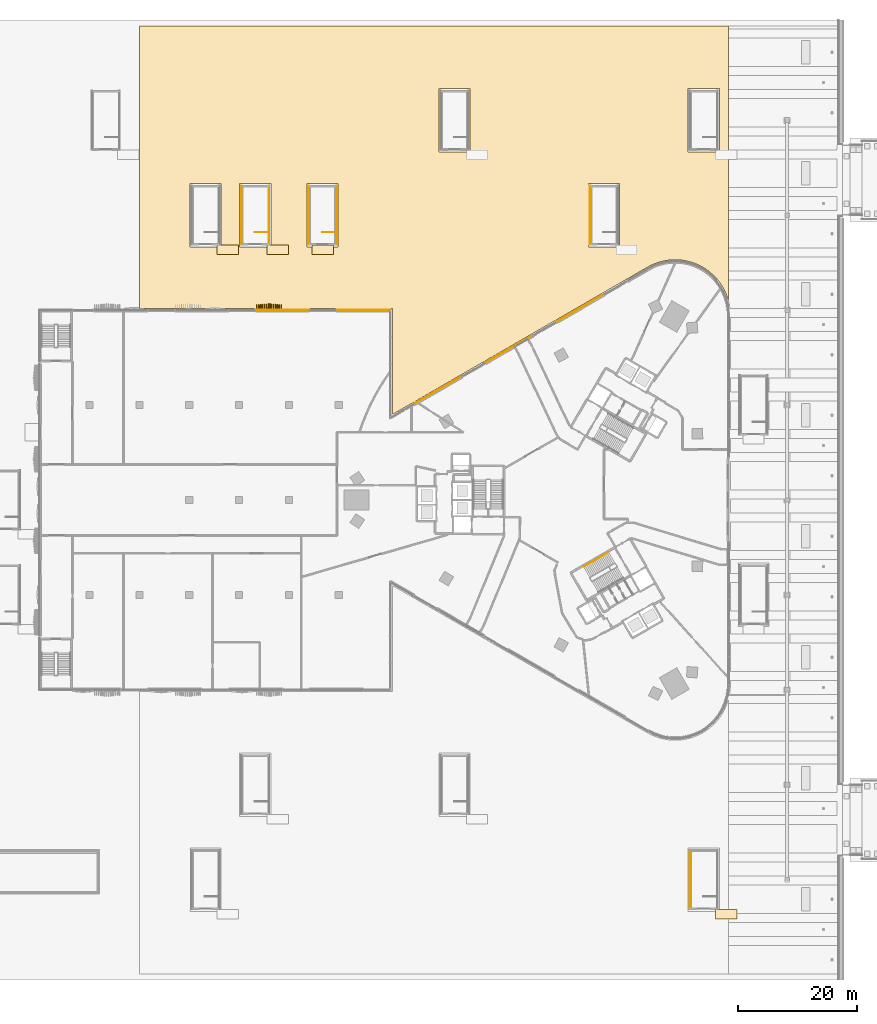
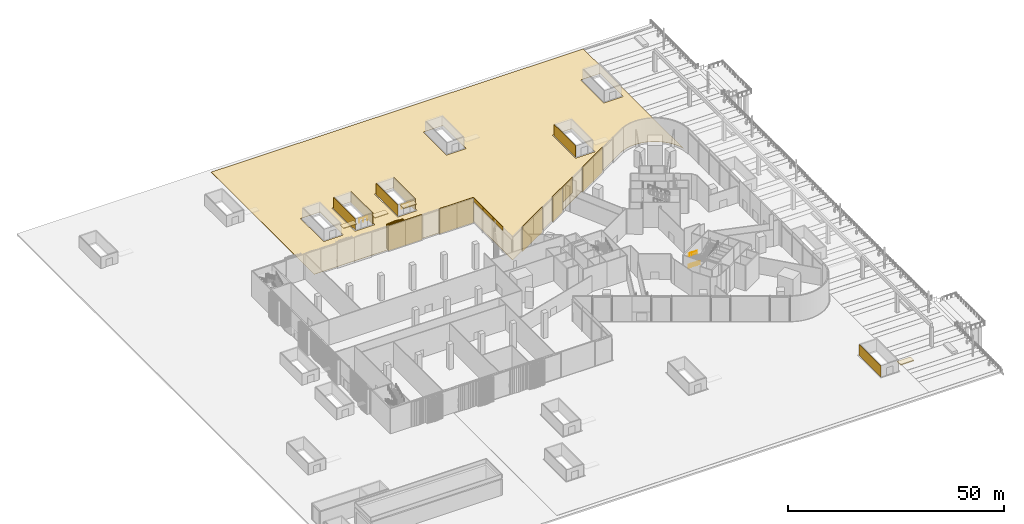
# One storey, part 35 of 41: 21 coverings, 4 railings.
"""IFC4 building model written with IfcOpenShell, lengths in metres."""

from ifc_helpers import new_model, si_unit, direction, frame, frame_2d, origin, origin_2d, place, context, subcontext, project, spatial, polyline, rectangle, circle, outline, extrude, source, transform, mapped, material, layer, layer_set, type_object, element, save


model = new_model("IFC4")

# Units and contexts
model_context = context("Model", 3, precision=1e-05, world=origin(), true_north=direction((0.0, 1.0)))
body_context = subcontext(model_context, "Body", "Model", "MODEL_VIEW")
ifc_project = project(units=[si_unit("LENGTHUNIT", "METRE"), si_unit("AREAUNIT", "SQUARE_METRE"), si_unit("VOLUMEUNIT", "CUBIC_METRE"), si_unit("PLANEANGLEUNIT", "RADIAN"), si_unit("MASSUNIT", "GRAM", prefix="KILO")], contexts=[model_context])

# Site, building, storey
site_placement = place(None, origin())
site = spatial("IfcSite", under=ifc_project, at=site_placement, CompositionType="ELEMENT")
building_placement = place(site_placement, origin())
building = spatial("IfcBuilding", under=site, at=building_placement, Name="Tamra Quay Hotel Tower", CompositionType="ELEMENT")
storey_placement = place(building_placement, origin())
storey = spatial("IfcBuildingStorey", under=building, at=storey_placement, Name="L00", CompositionType="ELEMENT", Elevation=0.0)

# Railings
ifc_material_1 = material(Name="Basement stair guard 1100")
railing_type_1 = type_object("IfcRailingType", Name="Basement stair guard 1100", PredefinedType="GUARDRAIL", material=ifc_material_1)
railing_1_placement = place(storey_placement, frame((-50.699951171875, 45.14990234375, 0.0)))
element("IfcRailing", 1, at=railing_1_placement, inside=storey, type_object=railing_type_1, Name="BSG", PredefinedType="GUARDRAIL", context=body_context, shape_type="SweptSolid", body=[
    extrude(circle(Radius=0.02392578125, at=origin_2d()), frame((0.0, 0.0, 1.076171875), z_axis=(-1.0, 0.0, 0.0), x_axis=(0.0, -1.0, 0.0)), (0.0, 0.0, 1.0), 2.150146484375),
    extrude(circle(Radius=0.02099609375, at=origin_2d()), origin(), (0.0, 0.0, 1.0), 1.052001953125),
    extrude(circle(Radius=0.02099609375, at=origin_2d()), frame((-1.0751953125, 0.0, 0.0)), (0.0, 0.0, 1.0), 1.052001953125),
    extrude(circle(Radius=0.02099609375, at=origin_2d()), frame((-2.150146484375, 0.0, 0.0)), (0.0, 0.0, 1.0), 1.052001953125),
])
railing_2_placement = place(storey_placement, frame((-39.35009765625, 45.14990234375, 0.0)))
element("IfcRailing", 2, at=railing_2_placement, inside=storey, type_object=railing_type_1, Name="BSG", PredefinedType="GUARDRAIL", context=body_context, shape_type="SweptSolid", body=[
    extrude(circle(Radius=0.02392578125, at=origin_2d()), frame((0.0, 0.0, 1.076171875), z_axis=(-1.0, 0.0, 0.0), x_axis=(0.0, -1.0, 0.0)), (0.0, 0.0, 1.0), 2.14990234375),
    extrude(circle(Radius=0.02099609375, at=origin_2d()), origin(), (0.0, 0.0, 1.0), 1.052001953125),
    extrude(circle(Radius=0.02099609375, at=origin_2d()), frame((-1.074951171875, 0.0, 0.0)), (0.0, 0.0, 1.0), 1.052001953125),
    extrude(circle(Radius=0.02099609375, at=origin_2d()), frame((-2.14990234375, 0.0, 0.0)), (0.0, 0.0, 1.0), 1.052001953125),
])

# Coverings
ifc_material_2 = material(Name="Reinforced concrete M60 with waterproofing membrane", Category="concrete")
ifc_layer_1 = layer(ifc_material_2, 0.25)
ifc_layer_set_1 = layer_set([ifc_layer_1], Name="PAVILION CANOPY SHEET 250")
covering_type_1 = type_object("IfcCoveringType", Name="PAVILION CANOPY SHEET 250", PredefinedType="ROOFING", material=ifc_layer_set_1)
covering_1_placement = place(storey_placement, frame((0.0, 0.0, 2.75)))
element("IfcCovering", 3, at=covering_1_placement, inside=storey, type_object=covering_type_1, Name="Stair pavilion BS7 door canopy", PredefinedType="ROOFING", context=body_context, shape_type="SweptSolid", body=[
    extrude(outline(polyline([(-59.199951171875, 43.0), (-55.60009765625, 43.0), (-55.60009765625, 41.39990234375), (-59.199951171875, 41.39990234375), (-59.199951171875, 43.0)])), origin(), (0.0, 0.0, 1.0), 0.25),
])
covering_2_placement = place(storey_placement, frame((0.0, 0.0, 2.75)))
element("IfcCovering", 4, at=covering_2_placement, inside=storey, type_object=covering_type_1, Name="Stair pavilion BS9 door canopy", PredefinedType="ROOFING", context=body_context, shape_type="SweptSolid", body=[
    extrude(outline(polyline([(-50.800048828125, 43.0), (-47.199951171875, 43.0), (-47.199951171875, 41.39990234375), (-50.800048828125, 41.39990234375), (-50.800048828125, 43.0)])), origin(), (0.0, 0.0, 1.0), 0.25),
])
covering_3_placement = place(storey_placement, frame((0.0, 0.0, 2.75)))
element("IfcCovering", 5, at=covering_3_placement, inside=storey, type_object=covering_type_1, Name="Stair pavilion BS13 door canopy", PredefinedType="ROOFING", context=body_context, shape_type="SweptSolid", body=[
    extrude(outline(polyline([(24.800048828125, -69.0), (28.39990234375, -69.0), (28.39990234375, -70.60009765625), (24.800048828125, -70.60009765625), (24.800048828125, -69.0)])), origin(), (0.0, 0.0, 1.0), 0.25),
])
covering_4_placement = place(storey_placement, frame((0.0, 0.0, 2.75)))
element("IfcCovering", 6, at=covering_4_placement, inside=storey, type_object=covering_type_1, Name="Stair pavilion BS17 door canopy", PredefinedType="ROOFING", context=body_context, shape_type="SweptSolid", body=[
    extrude(outline(polyline([(-43.22509765625, 43.0), (-39.625, 43.0), (-39.625, 41.39990234375), (-43.22509765625, 41.39990234375), (-43.22509765625, 43.0)])), origin(), (0.0, 0.0, 1.0), 0.25),
])
ifc_material_3 = material(Name="Precast concrete M60 terracotta-coloured pierced relief", Category="masonry")
ifc_layer_2 = layer(ifc_material_3, 0.10009765625)
ifc_layer_set_2 = layer_set([ifc_layer_2], Name="PIERCED RELIEF PANEL 100")
covering_type_2 = type_object("IfcCoveringType", Name="PIERCED RELIEF PANEL 100", PredefinedType="CLADDING", material=ifc_layer_set_2)
covering_5_placement = place(storey_placement, frame((1.989013671875, 32.366943359375, 0.0), z_axis=(0.0, 0.0, 1.0), x_axis=(-0.866214936261, -0.499671576337, 0.0)))
element("IfcCovering", 7, at=covering_5_placement, inside=storey, type_object=covering_type_2, Name="Relief panel L00.NW.02", PredefinedType="CLADDING", context=body_context, shape_type="SweptSolid", body=[
    extrude(rectangle(XDim=9.2197265625, YDim=0.10009765625, at=origin_2d()), origin(), (0.0, 0.0, 1.0), 7.10009765625),
])
covering_6_placement = place(storey_placement, frame((-8.015380859375, 26.595947265625, 2.699951171875), z_axis=(0.0, 0.0, 1.0), x_axis=(-0.866214936261, -0.499671576337, 0.0)))
element("IfcCovering", 8, at=covering_6_placement, inside=storey, type_object=covering_type_2, Name="Relief panel L00.NW.05", PredefinedType="CLADDING", context=body_context, shape_type="SweptSolid", body=[
    extrude(rectangle(XDim=4.599853515625, YDim=0.10009765625, at=origin_2d()), origin(), (0.0, 0.0, 1.0), 4.39990234375),
])
covering_7_placement = place(storey_placement, frame((-12.01708984375, 24.28759765625, 0.0), z_axis=(0.0, 0.0, 1.0), x_axis=(-0.866214936261, -0.499671576337, 0.0)))
element("IfcCovering", 9, at=covering_7_placement, inside=storey, type_object=covering_type_2, Name="Relief panel L00.NW.06", PredefinedType="CLADDING", context=body_context, shape_type="SweptSolid", body=[
    extrude(rectangle(XDim=4.599853515625, YDim=0.10009765625, at=origin_2d()), origin(), (0.0, 0.0, 1.0), 7.10009765625),
])
covering_8_placement = place(storey_placement, frame((-22.021484375, 18.5166015625, 0.0), z_axis=(0.0, 0.0, 1.0), x_axis=(-0.866214936261, -0.499671576337, 0.0)))
element("IfcCovering", 10, at=covering_8_placement, inside=storey, type_object=covering_type_2, Name="Relief panel L00.NW.08", PredefinedType="CLADDING", context=body_context, shape_type="SweptSolid", body=[
    extrude(rectangle(XDim=9.2197265625, YDim=0.10009765625, at=origin_2d()), origin(), (0.0, 0.0, 1.0), 7.10009765625),
])
for number, where, z_axis, x_axis, name in (
    (11, (-29.949951171875, 20.66015625, 6.10009765625), (0.0, 0.0, 1.0), (0.0, 1.0, 0.0), "Relief panel L00.E.18"),
    (12, (-29.949951171875, 25.196044921875, 6.10009765625), (0.0, 0.0, 1.0), (0.0, 1.0, 0.0), "Relief panel L00.E.19"),
    (13, (-29.949951171875, 29.73193359375, 6.10009765625), (0.0, 0.0, 1.0), (0.0, 1.0, 0.0), "Relief panel L00.E.20"),
):
    element("IfcCovering", number, at=place(storey_placement, frame(where, z_axis=z_axis, x_axis=x_axis)), inside=storey, type_object=covering_type_2, Name=name, PredefinedType="CLADDING", context=body_context, shape_type="SweptSolid", body=[
        extrude(rectangle(XDim=4.515869140625, YDim=0.10009765625, at=origin_2d()), origin(), (0.0, 0.0, 1.0), 1.0),
    ])
for number, where, z_axis, x_axis, name in (
    (14, (-34.546142578125, 32.050048828125, 0.0), (0.0, 0.0, 1.0), (-1.0, 0.0, 0.0), "Relief panel L00.NW.11"),
    (15, (-48.1845703125, 32.050048828125, 0.0), (0.0, 0.0, 1.0), (-1.0, 0.0, 0.0), "Relief panel L00.NW.14"),
):
    element("IfcCovering", number, at=place(storey_placement, frame(where, z_axis=z_axis, x_axis=x_axis)), inside=storey, type_object=covering_type_2, Name=name, PredefinedType="CLADDING", context=body_context, shape_type="SweptSolid", body=[
        extrude(rectangle(XDim=9.072265625, YDim=0.10009765625, at=origin_2d()), origin(), (0.0, 0.0, 1.0), 7.10009765625),
    ])
for number, where, z_axis, x_axis, name in (
    (16, (-55.10009765625, 48.0, 0.0), (0.0, 0.0, 1.0), (0.0, -1.0, 0.0), "Relief panel BS9.W"),
    (17, (-50.449951171875, 48.0, 0.0), (0.0, 0.0, 1.0), (0.0, 1.0, 0.0), "Relief panel BS9.E"),
    (18, (3.699951171875, 48.0, 0.0), (0.0, 0.0, 1.0), (0.0, -1.0, 0.0), "Relief panel BS12.W"),
    (19, (20.5, -64.0, 0.0), (0.0, 0.0, 1.0), (0.0, -1.0, 0.0), "Relief panel BS13.W"),
    (20, (-43.75, 48.0, 0.0), (0.0, 0.0, 1.0), (0.0, -1.0, 0.0), "Relief panel BS17.W"),
    (21, (-39.10009765625, 48.0, 0.0), (0.0, 0.0, 1.0), (0.0, 1.0, 0.0), "Relief panel BS17.E"),
):
    element("IfcCovering", number, at=place(storey_placement, frame(where, z_axis=z_axis, x_axis=x_axis)), inside=storey, type_object=covering_type_2, Name=name, PredefinedType="CLADDING", context=body_context, shape_type="SweptSolid", body=[
        extrude(rectangle(XDim=9.97998046875, YDim=0.10009765625, at=origin_2d()), origin(), (0.0, 0.0, 1.0), 3.199951171875),
    ])
ifc_material_4 = material(Name="Limestone flagstone paving light grey", Category="masonry")
ifc_layer_3 = layer(ifc_material_4, 0.06005859375)
ifc_layer_set_3 = layer_set([ifc_layer_3], Name="PROMENADE PAVING 60")
covering_type_3 = type_object("IfcCoveringType", Name="PROMENADE PAVING 60", PredefinedType="USERDEFINED", material=ifc_layer_set_3)
covering_9_placement = place(storey_placement, origin())
element("IfcCovering", 22, at=covering_9_placement, inside=storey, type_object=covering_type_3, Name="Tamra Quay Promenade paving promenade.1", ObjectType="PAVING", PredefinedType="USERDEFINED", context=body_context, shape_type="SweptSolid", body=[
    extrude(outline(polyline([(26.82568359375, 34.1728515625), (27.0, 33.59765625), (27.0, 79.89990234375), (-72.300048828125, 79.89990234375), (-72.300048828125, 32.320068359375), (-29.679931640625, 32.320068359375), (-29.679931640625, 14.41064453125), (13.344482421875, 39.2509765625), (13.877685546875, 39.535888671875), (14.433349609375, 39.78759765625), (15.004150390625, 40.00244140625), (15.587890625, 40.179443359375), (16.181640625, 40.318115234375), (16.783447265625, 40.41748046875), (17.390380859375, 40.47705078125), (18.0, 40.4970703125), (18.609619140625, 40.47705078125), (19.216552734375, 40.41748046875), (19.818359375, 40.318115234375), (20.412109375, 40.179443359375), (20.995849609375, 40.00244140625), (21.566650390625, 39.78759765625), (22.122314453125, 39.535888671875), (22.66015625, 39.248291015625), (23.177978515625, 38.926513671875), (23.673828125, 38.571044921875), (24.145263671875, 38.18408203125), (24.59033203125, 37.767333984375), (25.00732421875, 37.322021484375), (25.394287109375, 36.8505859375), (25.74951171875, 36.35498046875), (26.071533203125, 35.8369140625), (26.35888671875, 35.299072265625), (26.610595703125, 34.74365234375), (26.82568359375, 34.1728515625)]), holes=[polyline([(-58.550048828125, 53.35009765625), (-63.800048828125, 53.35009765625), (-63.800048828125, 42.64990234375), (-58.550048828125, 42.64990234375), (-58.550048828125, 53.35009765625)]), polyline([(-50.14990234375, 53.35009765625), (-55.39990234375, 53.35009765625), (-55.39990234375, 42.64990234375), (-50.14990234375, 42.64990234375), (-50.14990234375, 53.35009765625)]), polyline([(-38.800048828125, 53.35009765625), (-44.050048828125, 53.35009765625), (-44.050048828125, 42.64990234375), (-38.800048828125, 42.64990234375), (-38.800048828125, 53.35009765625)]), polyline([(8.64990234375, 53.35009765625), (3.39990234375, 53.35009765625), (3.39990234375, 42.64990234375), (8.64990234375, 42.64990234375), (8.64990234375, 53.35009765625)]), polyline([(-21.800048828125, 69.35009765625), (-21.800048828125, 58.64990234375), (-16.550048828125, 58.64990234375), (-16.550048828125, 69.35009765625), (-21.800048828125, 69.35009765625)]), polyline([(25.449951171875, 69.35009765625), (20.199951171875, 69.35009765625), (20.199951171875, 58.64990234375), (25.449951171875, 58.64990234375), (25.449951171875, 69.35009765625)])]), origin(), (0.0, 0.0, 1.0), 0.06005859375),
])

# Railings
ifc_material_5 = material(Name="Stair handrail 900")
railing_type_2 = type_object("IfcRailingType", Name="Stair handrail 900", PredefinedType="HANDRAIL", material=ifc_material_5)
railing_3_placement = place(storey_placement, frame((6.7978515625, -8.814208984375, 0.125)))
element("IfcRailing", 23, at=railing_3_placement, inside=storey, type_object=railing_type_2, Name="HR", PredefinedType="HANDRAIL", context=body_context, shape_type="SweptSolid", body=[
    extrude(circle(Radius=0.02392578125, at=origin_2d()), frame((0.0, 0.0, 0.8759765625), z_axis=(-0.80133307095, -0.462652958467, 0.379232843282), x_axis=(0.500002508028, -0.866023955769, 0.0)), (0.0, 0.0, 1.0), 5.27392578125),
    extrude(circle(Radius=0.02099609375, at=origin_2d()), origin(), (0.0, 0.0, 1.0), 0.851806640625),
    extrude(circle(Radius=0.02099609375, at=origin_2d()), frame((-0.84521484375, -0.488037109375, 0.39990234375)), (0.0, 0.0, 1.0), 0.851806640625),
    extrude(circle(Radius=0.02099609375, at=origin_2d()), frame((-1.6904296875, -0.97607421875, 0.800048828125)), (0.0, 0.0, 1.0), 0.851806640625),
    extrude(circle(Radius=0.02099609375, at=origin_2d()), frame((-2.53564453125, -1.4638671875, 1.199951171875)), (0.0, 0.0, 1.0), 0.851806640625),
    extrude(circle(Radius=0.02099609375, at=origin_2d()), frame((-3.380859375, -1.951904296875, 1.60009765625)), (0.0, 0.0, 1.0), 0.851806640625),
    extrude(circle(Radius=0.02099609375, at=origin_2d()), frame((-4.22607421875, -2.43994140625, 2.0)), (0.0, 0.0, 1.0), 0.851806640625),
])
railing_4_placement = place(storey_placement, frame((5.741455078125, -9.424072265625, 3.875)))
element("IfcRailing", 24, at=railing_4_placement, inside=storey, type_object=railing_type_2, Name="HR", PredefinedType="HANDRAIL", context=body_context, shape_type="SweptSolid", body=[
    extrude(circle(Radius=0.02392578125, at=origin_2d()), frame((0.0, 0.0, 0.8759765625), z_axis=(-0.801332673499, -0.462665772206, 0.379218050218), x_axis=(0.500013080017, -0.866017851902, 0.0)), (0.0, 0.0, 1.0), 3.95556640625),
    extrude(circle(Radius=0.02099609375, at=origin_2d()), origin(), (0.0, 0.0, 1.0), 0.851806640625),
    extrude(circle(Radius=0.02099609375, at=origin_2d()), frame((-0.79248046875, -0.45751953125, 0.375)), (0.0, 0.0, 1.0), 0.851806640625),
    extrude(circle(Radius=0.02099609375, at=origin_2d()), frame((-1.5849609375, -0.9150390625, 0.75)), (0.0, 0.0, 1.0), 0.851806640625),
    extrude(circle(Radius=0.02099609375, at=origin_2d()), frame((-2.377197265625, -1.37255859375, 1.125)), (0.0, 0.0, 1.0), 0.851806640625),
    extrude(circle(Radius=0.02099609375, at=origin_2d()), frame((-3.169677734375, -1.830078125, 1.5)), (0.0, 0.0, 1.0), 0.851806640625),
])

# Covering
ifc_material_6 = material(Name="Terracotta baguette extruded", Category="masonry")
covering_type_4 = type_object("IfcCoveringType", Name="BAGUETTE SCREEN NW-DEEP H7100", PredefinedType="USERDEFINED", material=ifc_material_6)
shared_shape = source(origin(), body_context, "Body", "SweptSolid", [
    extrude(rectangle(XDim=2.242919921875, YDim=0.06005859375, at=frame_2d((1.12158203125, 0.030029296875))), frame((-2.23828125, -0.0576171875, -0.1201171875), z_axis=(0.0, 0.0, 1.0), x_axis=(0.995396198367, -0.09584575252, 0.0)), (0.0, 0.0, 1.0), 0.1201171875),
    extrude(rectangle(XDim=2.242919921875, YDim=0.06005859375, at=frame_2d((1.12158203125, 0.030029296875))), frame((-2.23828125, -0.0576171875, -7.10009765625), z_axis=(0.0, 0.0, 1.0), x_axis=(0.995396198367, -0.09584575252, 0.0)), (0.0, 0.0, 1.0), 0.1201171875),
    extrude(rectangle(XDim=0.10009765625, YDim=0.780029296875, at=frame_2d((0.050048828125, 0.39013671875))), frame((-2.123046875, -0.8232421875, -7.0400390625)), (0.0, 0.0, 1.0), 6.97998046875),
    extrude(rectangle(XDim=0.10009765625, YDim=0.780029296875, at=frame_2d((0.050048828125, 0.39013671875))), frame((-1.80419921875, -0.85400390625, -7.0400390625)), (0.0, 0.0, 1.0), 6.97998046875),
    extrude(rectangle(XDim=0.10009765625, YDim=0.780029296875, at=frame_2d((0.050048828125, 0.39013671875))), frame((-1.485107421875, -0.884765625, -7.0400390625)), (0.0, 0.0, 1.0), 6.97998046875),
    extrude(rectangle(XDim=0.10009765625, YDim=0.780029296875, at=frame_2d((0.050048828125, 0.39013671875))), frame((-1.166259765625, -0.91552734375, -7.0400390625)), (0.0, 0.0, 1.0), 6.97998046875),
    extrude(rectangle(XDim=0.10009765625, YDim=0.780029296875, at=frame_2d((0.050048828125, 0.39013671875))), frame((-0.847412109375, -0.9462890625, -7.0400390625)), (0.0, 0.0, 1.0), 6.97998046875),
    extrude(rectangle(XDim=0.10009765625, YDim=0.780029296875, at=frame_2d((0.050048828125, 0.39013671875))), frame((-0.5283203125, -0.976806640625, -7.0400390625)), (0.0, 0.0, 1.0), 6.97998046875),
    extrude(rectangle(XDim=0.10009765625, YDim=0.780029296875, at=frame_2d((0.050048828125, 0.39013671875))), frame((-0.20947265625, -1.007568359375, -7.0400390625)), (0.0, 0.0, 1.0), 6.97998046875),
    extrude(rectangle(XDim=2.242919921875, YDim=0.06005859375, at=frame_2d((1.12158203125, 0.030029296875))), frame((0.005859375, -0.272705078125, -0.1201171875), z_axis=(0.0, 0.0, 1.0), x_axis=(0.995396198367, 0.09584575252, 0.0)), (0.0, 0.0, 1.0), 0.1201171875),
    extrude(rectangle(XDim=2.242919921875, YDim=0.06005859375, at=frame_2d((1.12158203125, 0.030029296875))), frame((0.005859375, -0.272705078125, -7.10009765625), z_axis=(0.0, 0.0, 1.0), x_axis=(0.995396198367, 0.09584575252, 0.0)), (0.0, 0.0, 1.0), 0.1201171875),
    extrude(rectangle(XDim=0.10009765625, YDim=0.780029296875, at=frame_2d((0.050048828125, 0.39013671875))), frame((0.109375, -1.007568359375, -7.0400390625)), (0.0, 0.0, 1.0), 6.97998046875),
    extrude(rectangle(XDim=0.10009765625, YDim=0.780029296875, at=frame_2d((0.050048828125, 0.39013671875))), frame((0.428466796875, -0.976806640625, -7.0400390625)), (0.0, 0.0, 1.0), 6.97998046875),
    extrude(rectangle(XDim=0.10009765625, YDim=0.780029296875, at=frame_2d((0.050048828125, 0.39013671875))), frame((0.747314453125, -0.9462890625, -7.0400390625)), (0.0, 0.0, 1.0), 6.97998046875),
    extrude(rectangle(XDim=0.10009765625, YDim=0.780029296875, at=frame_2d((0.050048828125, 0.39013671875))), frame((1.066162109375, -0.91552734375, -7.0400390625)), (0.0, 0.0, 1.0), 6.97998046875),
    extrude(rectangle(XDim=0.10009765625, YDim=0.780029296875, at=frame_2d((0.050048828125, 0.39013671875))), frame((1.38525390625, -0.884765625, -7.0400390625)), (0.0, 0.0, 1.0), 6.97998046875),
    extrude(rectangle(XDim=0.10009765625, YDim=0.780029296875, at=frame_2d((0.050048828125, 0.39013671875))), frame((1.7041015625, -0.85400390625, -7.0400390625)), (0.0, 0.0, 1.0), 6.97998046875),
    extrude(rectangle(XDim=0.10009765625, YDim=0.780029296875, at=frame_2d((0.050048828125, 0.39013671875))), frame((2.02294921875, -0.8232421875, -7.0400390625)), (0.0, 0.0, 1.0), 6.97998046875),
])
covering_10_placement = place(storey_placement, frame((-50.457763671875, 32.10009765625, 7.10009765625), z_axis=(0.0, 0.0, 1.0), x_axis=(-1.0, 0.0, 0.0)))
element("IfcCovering", 25, at=covering_10_placement, inside=storey, type_object=covering_type_4, Name="Baguette screen wing.L00.NW.15", ObjectType="BAGUETTE SCREEN", PredefinedType="USERDEFINED", context=body_context, shape_type="MappedRepresentation", body=[
    mapped(shared_shape, transform((0.0, 0.0, 0.0), scale=1.0)),
])

save(model, "model.ifc")
